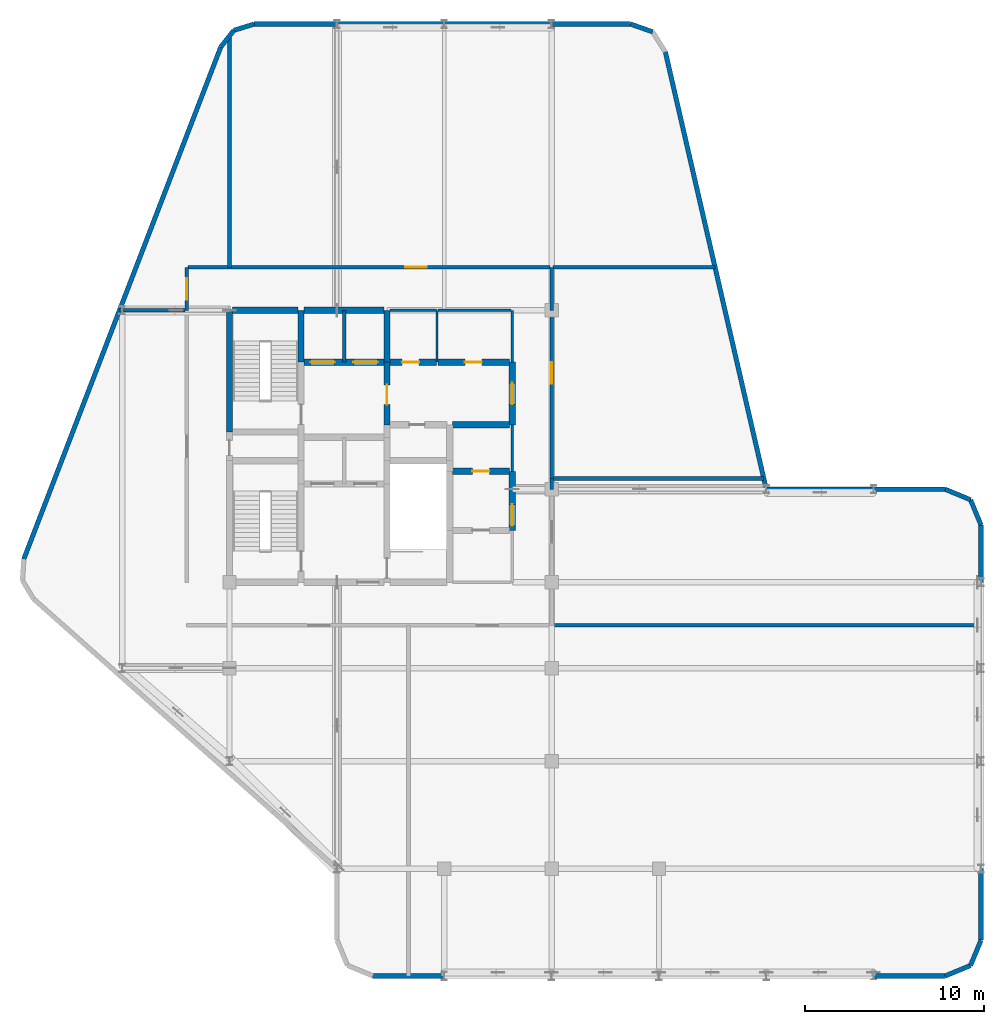
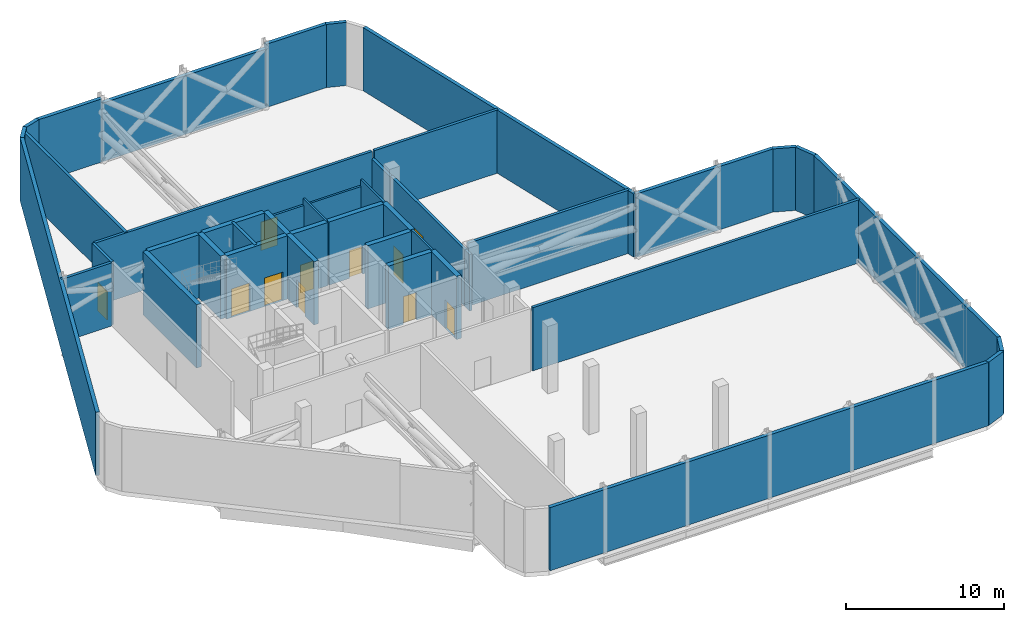
# One storey, part 10 of 12: 44 walls, 11 doors, 11 openings.
"""IFC4 building model written with IfcOpenShell, lengths in metres."""

from ifc_helpers import new_model, si_unit, direction, frame, frame_2d, origin, place, context, subcontext, project, spatial, rectangle, extrude, material, layer, layer_set, type_object, element, fill, save


model = new_model("IFC4")

# Units and contexts
model_context = context("Model", 3, precision=1e-05, world=origin(), true_north=direction((0.0, 1.0)))
body_context = subcontext(model_context, "Body", "Model", "MODEL_VIEW")
ifc_project = project(units=[si_unit("LENGTHUNIT", "METRE"), si_unit("AREAUNIT", "SQUARE_METRE"), si_unit("VOLUMEUNIT", "CUBIC_METRE"), si_unit("PLANEANGLEUNIT", "RADIAN"), si_unit("MASSUNIT", "GRAM", prefix="KILO")], contexts=[model_context])

# Site, building, storey
site_placement = place(None, origin())
site = spatial("IfcSite", under=ifc_project, at=site_placement, CompositionType="ELEMENT")
building_placement = place(site_placement, origin())
building = spatial("IfcBuilding", under=site, at=building_placement, Name="Keshet Zoharim Tower", CompositionType="ELEMENT")
storey_placement = place(building_placement, frame((0.0, 0.0, 237.60009765625)))
storey = spatial("IfcBuildingStorey", under=building, at=storey_placement, Name="L59", CompositionType="ELEMENT", Elevation=237.60009765625)

# Walls
ifc_material_1 = material(Name="Gypsum Plasterboard", Category="gypsum")
ifc_layer_1 = layer(ifc_material_1, 0.14990234375)
ifc_layer_set_1 = layer_set([ifc_layer_1], Name="Gypsum Plasterboard")
wall_type_1 = type_object("IfcWallType", Name="WL-CLIN-150", PredefinedType="STANDARD", material=ifc_layer_set_1)
wall_1_placement = place(storey_placement, frame((30.800048828125, 28.89990234375, 0.0), z_axis=(0.0, 0.0, 1.0), x_axis=(0.0, 1.0, 0.0)))
element("IfcWall", 1, at=wall_1_placement, inside=storey, type_object=wall_type_1, Name="L59 Interior Wall 027", PredefinedType="STANDARD", context=body_context, shape_type="SweptSolid", body=[
    extrude(rectangle(XDim=2.60009765625, YDim=0.14990234375, at=frame_2d((1.300048828125, 0.0))), origin(), (0.0, 0.0, 1.0), 4.8798828125),
])
wall_2_placement = place(storey_placement, frame((30.800048828125, 35.0, 0.0), z_axis=(0.0, 0.0, 1.0), x_axis=(0.0, 1.0, 0.0)))
element("IfcWall", 2, at=wall_2_placement, inside=storey, type_object=wall_type_1, Name="L59 Interior Wall 029", PredefinedType="STANDARD", context=body_context, shape_type="SweptSolid", body=[
    extrude(rectangle(XDim=2.89990234375, YDim=0.14990234375, at=frame_2d((1.449951171875, 0.0))), origin(), (0.0, 0.0, 1.0), 4.8798828125),
])
wall_3_placement = place(storey_placement, frame((23.9599609375, 37.89990234375, 0.0), z_axis=(0.0, 0.0, 1.0), x_axis=(1.0, 0.0, 0.0)))
element("IfcWall", 3, at=wall_3_placement, inside=storey, type_object=wall_type_1, Name="L59 Interior Wall 054", PredefinedType="STANDARD", context=body_context, shape_type="SweptSolid", body=[
    extrude(rectangle(XDim=2.594970703125, YDim=0.14990234375, at=frame_2d((1.29736328125, 0.0))), origin(), (0.0, 0.0, 1.0), 4.3798828125),
])
wall_4_placement = place(storey_placement, frame((26.64501953125, 37.89990234375, 0.0), z_axis=(0.0, 0.0, 1.0), x_axis=(1.0, 0.0, 0.0)))
element("IfcWall", 4, at=wall_4_placement, inside=storey, type_object=wall_type_1, Name="L59 Interior Wall 055", PredefinedType="STANDARD", context=body_context, shape_type="SweptSolid", body=[
    extrude(rectangle(XDim=4.094970703125, YDim=0.14990234375, at=frame_2d((2.04736328125, 0.0))), origin(), (0.0, 0.0, 1.0), 4.3798828125),
])
ifc_material_2 = material(Name="Concrete C60/75", Category="concrete")
ifc_layer_2 = layer(ifc_material_2, 0.35009765625)
ifc_layer_set_2 = layer_set([ifc_layer_2], Name="Concrete C60/75")
wall_type_2 = type_object("IfcWallType", Name="WL-CORE-350", PredefinedType="SHEAR", material=ifc_layer_set_2)
wall_5_placement = place(storey_placement, frame((15.0, 31.10009765625, 0.0), z_axis=(0.0, 0.0, 1.0), x_axis=(0.0, 1.0, 0.0)))
element("IfcWall", 5, at=wall_5_placement, inside=storey, type_object=wall_type_2, Name="L59 Core Shear Wall 005", PredefinedType="SHEAR", context=body_context, shape_type="SweptSolid", body=[
    extrude(rectangle(XDim=6.7998046875, YDim=0.35009765625, at=frame_2d((3.39990234375, 0.0))), origin(), (0.0, 0.0, 1.0), 4.8798828125),
])
wall_6_placement = place(storey_placement, frame((19.0, 35.0, 0.0), z_axis=(0.0, 0.0, 1.0), x_axis=(0.0, 1.0, 0.0)))
element("IfcWall", 6, at=wall_6_placement, inside=storey, type_object=wall_type_2, Name="L59 Core Shear Wall 010", PredefinedType="SHEAR", context=body_context, shape_type="SweptSolid", body=[
    extrude(rectangle(XDim=2.89990234375, YDim=0.35009765625, at=frame_2d((1.449951171875, 0.0))), origin(), (0.0, 0.0, 1.0), 4.8798828125),
])

# Wall, opening, door
wall_7_placement = place(storey_placement, frame((23.800048828125, 31.5, 0.0), z_axis=(0.0, 0.0, 1.0), x_axis=(0.0, 1.0, 0.0)))
wall_7 = element("IfcWall", 7, at=wall_7_placement, inside=storey, type_object=wall_type_2, Name="L59 Core Shear Wall 017", PredefinedType="SHEAR", context=body_context, shape_type="SweptSolid", body=[
    extrude(rectangle(XDim=3.5, YDim=0.35009765625, at=frame_2d((1.75, 0.0))), origin(), (0.0, 0.0, 1.0), 4.8798828125),
])
opening_1_placement = place(wall_7_placement, frame((1.126953125, 0.0, 0.0)))
opening_1 = element("IfcOpeningElement", 8, at=opening_1_placement, cuts=wall_7, Name="Opening D-F611", PredefinedType="OPENING", context=body_context, shape_type="SweptSolid", body=[
    extrude(rectangle(XDim=1.10009765625, YDim=2.14990234375, at=frame_2d((0.550048828125, 1.074951171875))), frame((0.0, 0.18505859375, 0.0), z_axis=(0.0, -1.0, 0.0), x_axis=(1.0, 0.0, 0.0)), (0.0, 0.0, 1.0), 0.3701171875),
])
ifc_material_3 = material(Name="Hardwood Timber", Category="wood")
door_type_1 = type_object("IfcDoorType", Name="DR-FD60-110", OperationType="NOTDEFINED", PredefinedType="DOOR", material=ifc_material_3)
door_1_placement = place(opening_1_placement, origin())
door_1 = element("IfcDoor", 9, at=door_1_placement, inside=storey, type_object=door_type_1, Name="L59 Firefighting Lobby Fire Door", OperationType="SINGLE_SWING_RIGHT", OverallHeight=2.14990234375, OverallWidth=1.10009765625, PredefinedType="DOOR", context=body_context, shape_type="SweptSolid", body=[
    extrude(rectangle(XDim=1.10009765625, YDim=2.14990234375, at=frame_2d((0.550048828125, 1.074951171875))), frame((0.0, 0.02490234375, 0.0), z_axis=(0.0, -1.0, 0.0), x_axis=(1.0, 0.0, 0.0)), (0.0, 0.0, 1.0), 0.050048828125),
])
fill(opening_1, door_1)

# Wall
wall_8_placement = place(storey_placement, frame((23.800048828125, 35.0, 0.0), z_axis=(0.0, 0.0, 1.0), x_axis=(0.0, 1.0, 0.0)))
element("IfcWall", 10, at=wall_8_placement, inside=storey, type_object=wall_type_2, Name="L59 Core Shear Wall 018", PredefinedType="SHEAR", context=body_context, shape_type="SweptSolid", body=[
    extrude(rectangle(XDim=2.89990234375, YDim=0.35009765625, at=frame_2d((1.449951171875, 0.0))), origin(), (0.0, 0.0, 1.0), 4.8798828125),
])

# Wall, opening, door
wall_9_placement = place(storey_placement, frame((30.800048828125, 25.60009765625, 0.0), z_axis=(0.0, 0.0, 1.0), x_axis=(0.0, 1.0, 0.0)))
wall_9 = element("IfcWall", 11, at=wall_9_placement, inside=storey, type_object=wall_type_2, Name="L59 Core Shear Wall 026", PredefinedType="SHEAR", context=body_context, shape_type="SweptSolid", body=[
    extrude(rectangle(XDim=3.2998046875, YDim=0.35009765625, at=frame_2d((1.64990234375, 0.0))), origin(), (0.0, 0.0, 1.0), 4.8798828125),
])
opening_2_placement = place(wall_9_placement, frame((0.2529296875, 0.0, 0.0)))
opening_2 = element("IfcOpeningElement", 12, at=opening_2_placement, cuts=wall_9, Name="Opening D-F612", PredefinedType="OPENING", context=body_context, shape_type="SweptSolid", body=[
    extrude(rectangle(XDim=1.199951171875, YDim=2.199951171875, at=frame_2d((0.60009765625, 1.10009765625))), frame((0.0, 0.18505859375, 0.0), z_axis=(0.0, -1.0, 0.0), x_axis=(1.0, 0.0, 0.0)), (0.0, 0.0, 1.0), 0.3701171875),
])
door_type_2 = type_object("IfcDoorType", Name="DR-FD60-120", OperationType="NOTDEFINED", PredefinedType="DOOR", material=ifc_material_3)
door_2_placement = place(opening_2_placement, origin())
door_2 = element("IfcDoor", 13, at=door_2_placement, inside=storey, type_object=door_type_2, Name="L59 East Lift Lobby Fire Door", OperationType="SINGLE_SWING_LEFT", OverallHeight=2.199951171875, OverallWidth=1.199951171875, PredefinedType="DOOR", context=body_context, shape_type="SweptSolid", body=[
    extrude(rectangle(XDim=1.199951171875, YDim=2.199951171875, at=frame_2d((0.60009765625, 1.10009765625))), frame((0.0, 0.02490234375, 0.0), z_axis=(0.0, -1.0, 0.0), x_axis=(1.0, 0.0, 0.0)), (0.0, 0.0, 1.0), 0.050048828125),
])
fill(opening_2, door_2)

wall_10_placement = place(storey_placement, frame((30.800048828125, 31.5, 0.0), z_axis=(0.0, 0.0, 1.0), x_axis=(0.0, 1.0, 0.0)))
wall_10 = element("IfcWall", 14, at=wall_10_placement, inside=storey, type_object=wall_type_2, Name="L59 Core Shear Wall 028", PredefinedType="SHEAR", context=body_context, shape_type="SweptSolid", body=[
    extrude(rectangle(XDim=3.5, YDim=0.35009765625, at=frame_2d((1.75, 0.0))), origin(), (0.0, 0.0, 1.0), 4.8798828125),
])
opening_3_placement = place(wall_10_placement, frame((1.14990234375, 0.0, 0.0)))
opening_3 = element("IfcOpeningElement", 15, at=opening_3_placement, cuts=wall_10, Name="Opening D-F612", PredefinedType="OPENING", context=body_context, shape_type="SweptSolid", body=[
    extrude(rectangle(XDim=1.199951171875, YDim=2.199951171875, at=frame_2d((0.60009765625, 1.10009765625))), frame((0.0, 0.18505859375, 0.0), z_axis=(0.0, -1.0, 0.0), x_axis=(1.0, 0.0, 0.0)), (0.0, 0.0, 1.0), 0.3701171875),
])
door_3_placement = place(opening_3_placement, origin())
door_3 = element("IfcDoor", 16, at=door_3_placement, inside=storey, type_object=door_type_2, Name="L59 North Lift Lobby East Fire Door", OperationType="SINGLE_SWING_RIGHT", OverallHeight=2.199951171875, OverallWidth=1.199951171875, PredefinedType="DOOR", context=body_context, shape_type="SweptSolid", body=[
    extrude(rectangle(XDim=1.199951171875, YDim=2.199951171875, at=frame_2d((0.60009765625, 1.10009765625))), frame((0.0, 0.02490234375, 0.0), z_axis=(0.0, -1.0, 0.0), x_axis=(1.0, 0.0, 0.0)), (0.0, 0.0, 1.0), 0.050048828125),
])
fill(opening_3, door_3)

wall_11_placement = place(storey_placement, frame((27.4599609375, 28.89990234375, 0.0), z_axis=(0.0, 0.0, 1.0), x_axis=(1.0, 0.0, 0.0)))
wall_11 = element("IfcWall", 17, at=wall_11_placement, inside=storey, type_object=wall_type_2, Name="L59 Core Shear Wall 041", PredefinedType="SHEAR", context=body_context, shape_type="SweptSolid", body=[
    extrude(rectangle(XDim=3.179931640625, YDim=0.35009765625, at=frame_2d((1.58984375, 0.0))), origin(), (0.0, 0.0, 1.0), 4.8798828125),
])
opening_4_placement = place(wall_11_placement, frame((1.114990234375, 0.0, 0.0)))
opening_4 = element("IfcOpeningElement", 18, at=opening_4_placement, cuts=wall_11, Name="Opening D-F695", PredefinedType="OPENING", context=body_context, shape_type="SweptSolid", body=[
    extrude(rectangle(XDim=0.949951171875, YDim=2.14990234375, at=frame_2d((0.47509765625, 1.074951171875))), frame((0.0, 0.18505859375, 0.0), z_axis=(0.0, -1.0, 0.0), x_axis=(1.0, 0.0, 0.0)), (0.0, 0.0, 1.0), 0.3701171875),
])
door_type_3 = type_object("IfcDoorType", Name="DR-FD60-095", OperationType="NOTDEFINED", PredefinedType="DOOR", material=ifc_material_3)
door_4_placement = place(opening_4_placement, frame((0.949951171875, 0.0, 0.0), z_axis=(0.0, 0.0, 1.0), x_axis=(-1.0, 0.0, 0.0)))
door_4 = element("IfcDoor", 19, at=door_4_placement, inside=storey, type_object=door_type_3, Name="L59 Parcel Store Door", OperationType="SINGLE_SWING_LEFT", OverallHeight=2.14990234375, OverallWidth=0.949951171875, PredefinedType="DOOR", context=body_context, shape_type="SweptSolid", body=[
    extrude(rectangle(XDim=0.949951171875, YDim=2.14990234375, at=frame_2d((0.47509765625, 1.074951171875))), frame((0.0, 0.02490234375, 0.0), z_axis=(0.0, -1.0, 0.0), x_axis=(1.0, 0.0, 0.0)), (0.0, 0.0, 1.0), 0.050048828125),
])
fill(opening_4, door_4)

# Wall
wall_12_placement = place(storey_placement, frame((27.4599609375, 31.5, 0.0), z_axis=(0.0, 0.0, 1.0), x_axis=(1.0, 0.0, 0.0)))
element("IfcWall", 20, at=wall_12_placement, inside=storey, type_object=wall_type_2, Name="L59 Core Shear Wall 047", PredefinedType="SHEAR", context=body_context, shape_type="SweptSolid", body=[
    extrude(rectangle(XDim=3.179931640625, YDim=0.35009765625, at=frame_2d((1.58984375, 0.0))), origin(), (0.0, 0.0, 1.0), 4.8798828125),
])

# Wall, openings, doors
wall_13_placement = place(storey_placement, frame((19.159912109375, 35.0, 0.0), z_axis=(0.0, 0.0, 1.0), x_axis=(1.0, 0.0, 0.0)))
wall_13 = element("IfcWall", 21, at=wall_13_placement, inside=storey, type_object=wall_type_2, Name="L59 Core Shear Wall 048", PredefinedType="SHEAR", context=body_context, shape_type="SweptSolid", body=[
    extrude(rectangle(XDim=4.47998046875, YDim=0.35009765625, at=frame_2d((2.239990234375, 0.0))), origin(), (0.0, 0.0, 1.0), 4.8798828125),
])
opening_5_placement = place(wall_13_placement, frame((0.364990234375, 0.0, 0.0)))
opening_5 = element("IfcOpeningElement", 22, at=opening_5_placement, cuts=wall_13, Name="Opening LD-02", PredefinedType="OPENING", context=body_context, shape_type="SweptSolid", body=[
    extrude(rectangle(XDim=1.35009765625, YDim=2.199951171875, at=frame_2d((0.675048828125, 1.10009765625))), frame((0.0, 0.18505859375, 0.0), z_axis=(0.0, -1.0, 0.0), x_axis=(1.0, 0.0, 0.0)), (0.0, 0.0, 1.0), 0.3701171875),
])
opening_6_placement = place(wall_13_placement, frame((2.764892578125, 0.0, 0.0)))
opening_6 = element("IfcOpeningElement", 23, at=opening_6_placement, cuts=wall_13, Name="Opening LD-02", PredefinedType="OPENING", context=body_context, shape_type="SweptSolid", body=[
    extrude(rectangle(XDim=1.35009765625, YDim=2.199951171875, at=frame_2d((0.675048828125, 1.10009765625))), frame((0.0, 0.18505859375, 0.0), z_axis=(0.0, -1.0, 0.0), x_axis=(1.0, 0.0, 0.0)), (0.0, 0.0, 1.0), 0.3701171875),
])
ifc_material_4 = material(Name="Steel S355", Category="steel")
door_type_4 = type_object("IfcDoorType", Name="DR-LD02-135", OperationType="DOUBLE_DOOR_SLIDING", PredefinedType="DOOR", material=ifc_material_4)
door_5_placement = place(opening_5_placement, origin())
door_5 = element("IfcDoor", 24, at=door_5_placement, inside=storey, type_object=door_type_4, Name="L59 Firefighting Lift Landing Door FF-01", OperationType="DOUBLE_DOOR_SLIDING", OverallHeight=2.199951171875, OverallWidth=1.35009765625, PredefinedType="DOOR", context=body_context, shape_type="SweptSolid", body=[
    extrude(rectangle(XDim=1.35009765625, YDim=2.199951171875, at=frame_2d((0.675048828125, 1.10009765625))), frame((0.0, 0.02490234375, 0.0), z_axis=(0.0, -1.0, 0.0), x_axis=(1.0, 0.0, 0.0)), (0.0, 0.0, 1.0), 0.050048828125),
])
fill(opening_5, door_5)
door_6_placement = place(opening_6_placement, origin())
door_6 = element("IfcDoor", 25, at=door_6_placement, inside=storey, type_object=door_type_4, Name="L59 Firefighting Lift Landing Door FF-02", OperationType="DOUBLE_DOOR_SLIDING", OverallHeight=2.199951171875, OverallWidth=1.35009765625, PredefinedType="DOOR", context=body_context, shape_type="SweptSolid", body=[
    extrude(rectangle(XDim=1.35009765625, YDim=2.199951171875, at=frame_2d((0.675048828125, 1.10009765625))), frame((0.0, 0.02490234375, 0.0), z_axis=(0.0, -1.0, 0.0), x_axis=(1.0, 0.0, 0.0)), (0.0, 0.0, 1.0), 0.050048828125),
])
fill(opening_6, door_6)

# Wall, opening, door
wall_14_placement = place(storey_placement, frame((23.9599609375, 35.0, 0.0), z_axis=(0.0, 0.0, 1.0), x_axis=(1.0, 0.0, 0.0)))
wall_14 = element("IfcWall", 26, at=wall_14_placement, inside=storey, type_object=wall_type_2, Name="L59 Core Shear Wall 049", PredefinedType="SHEAR", context=body_context, shape_type="SweptSolid", body=[
    extrude(rectangle(XDim=2.594970703125, YDim=0.35009765625, at=frame_2d((1.29736328125, 0.0))), origin(), (0.0, 0.0, 1.0), 4.8798828125),
])
opening_7_placement = place(wall_14_placement, frame((0.69091796875, 0.0, 0.0)))
opening_7 = element("IfcOpeningElement", 27, at=opening_7_placement, cuts=wall_14, Name="Opening D-F695", PredefinedType="OPENING", context=body_context, shape_type="SweptSolid", body=[
    extrude(rectangle(XDim=0.949951171875, YDim=2.14990234375, at=frame_2d((0.47509765625, 1.074951171875))), frame((0.0, 0.18505859375, 0.0), z_axis=(0.0, -1.0, 0.0), x_axis=(1.0, 0.0, 0.0)), (0.0, 0.0, 1.0), 0.3701171875),
])
door_7_placement = place(opening_7_placement, frame((0.949951171875, 0.0, 0.0), z_axis=(0.0, 0.0, 1.0), x_axis=(-1.0, 0.0, 0.0)))
door_7 = element("IfcDoor", 28, at=door_7_placement, inside=storey, type_object=door_type_3, Name="L59 Laundry Room Door", OperationType="SINGLE_SWING_LEFT", OverallHeight=2.14990234375, OverallWidth=0.949951171875, PredefinedType="DOOR", context=body_context, shape_type="SweptSolid", body=[
    extrude(rectangle(XDim=0.949951171875, YDim=2.14990234375, at=frame_2d((0.47509765625, 1.074951171875))), frame((0.0, 0.02490234375, 0.0), z_axis=(0.0, -1.0, 0.0), x_axis=(1.0, 0.0, 0.0)), (0.0, 0.0, 1.0), 0.050048828125),
])
fill(opening_7, door_7)

wall_15_placement = place(storey_placement, frame((26.64501953125, 35.0, 0.0), z_axis=(0.0, 0.0, 1.0), x_axis=(1.0, 0.0, 0.0)))
wall_15 = element("IfcWall", 29, at=wall_15_placement, inside=storey, type_object=wall_type_2, Name="L59 Core Shear Wall 050", PredefinedType="SHEAR", context=body_context, shape_type="SweptSolid", body=[
    extrude(rectangle(XDim=3.994873046875, YDim=0.35009765625, at=frame_2d((1.99755859375, 0.0))), origin(), (0.0, 0.0, 1.0), 4.8798828125),
])
opening_8_placement = place(wall_15_placement, frame((1.508056640625, 0.0, 0.0)))
opening_8 = element("IfcOpeningElement", 30, at=opening_8_placement, cuts=wall_15, Name="Opening D-F695", PredefinedType="OPENING", context=body_context, shape_type="SweptSolid", body=[
    extrude(rectangle(XDim=0.949951171875, YDim=2.14990234375, at=frame_2d((0.47509765625, 1.074951171875))), frame((0.0, 0.18505859375, 0.0), z_axis=(0.0, -1.0, 0.0), x_axis=(1.0, 0.0, 0.0)), (0.0, 0.0, 1.0), 0.3701171875),
])
door_8_placement = place(opening_8_placement, frame((0.949951171875, 0.0, 0.0), z_axis=(0.0, 0.0, 1.0), x_axis=(-1.0, 0.0, 0.0)))
door_8 = element("IfcDoor", 31, at=door_8_placement, inside=storey, type_object=door_type_3, Name="L59 Quiet Study Room Door", OperationType="SINGLE_SWING_RIGHT", OverallHeight=2.14990234375, OverallWidth=0.949951171875, PredefinedType="DOOR", context=body_context, shape_type="SweptSolid", body=[
    extrude(rectangle(XDim=0.949951171875, YDim=2.14990234375, at=frame_2d((0.47509765625, 1.074951171875))), frame((0.0, 0.02490234375, 0.0), z_axis=(0.0, -1.0, 0.0), x_axis=(1.0, 0.0, 0.0)), (0.0, 0.0, 1.0), 0.050048828125),
])
fill(opening_8, door_8)

# Walls
wall_16_placement = place(storey_placement, frame((15.159912109375, 37.89990234375, 0.0), z_axis=(0.0, 0.0, 1.0), x_axis=(1.0, 0.0, 0.0)))
element("IfcWall", 32, at=wall_16_placement, inside=storey, type_object=wall_type_2, Name="L59 Core Shear Wall 052", PredefinedType="SHEAR", context=body_context, shape_type="SweptSolid", body=[
    extrude(rectangle(XDim=3.68017578125, YDim=0.35009765625, at=frame_2d((1.840087890625, 0.0))), origin(), (0.0, 0.0, 1.0), 4.8798828125),
])
wall_17_placement = place(storey_placement, frame((19.159912109375, 37.89990234375, 0.0), z_axis=(0.0, 0.0, 1.0), x_axis=(1.0, 0.0, 0.0)))
element("IfcWall", 33, at=wall_17_placement, inside=storey, type_object=wall_type_2, Name="L59 Core Shear Wall 053", PredefinedType="SHEAR", context=body_context, shape_type="SweptSolid", body=[
    extrude(rectangle(XDim=4.47998046875, YDim=0.35009765625, at=frame_2d((2.239990234375, 0.0))), origin(), (0.0, 0.0, 1.0), 4.8798828125),
])
ifc_material_5 = material(Name="Concrete C50/60 precast", Category="concrete")
ifc_layer_3 = layer(ifc_material_5, 0.260009765625)
ifc_layer_set_3 = layer_set([ifc_layer_3], Name="Concrete C50/60 precast")
wall_type_3 = type_object("IfcWallType", Name="WL-EXT-260", PredefinedType="STANDARD", material=ifc_layer_set_3)
for number, where, z_axis, x_axis, name in (
    (34, (55.0, 27.89990234375, 0.0), (0.0, 0.0, 1.0), (0.92383017907, -0.382802560388, 0.0), "L59 Exterior Facade Wall 01"),
    (35, (56.4140625, 27.31396484375, 0.0), (0.0, 0.0, 1.0), (0.382802560388, -0.92383017907, 0.0), "L59 Exterior Facade Wall 02"),
):
    element("IfcWall", number, at=place(storey_placement, frame(where, z_axis=z_axis, x_axis=x_axis)), inside=storey, type_object=wall_type_3, Name=name, PredefinedType="STANDARD", context=body_context, shape_type="SweptSolid", body=[
        extrude(rectangle(XDim=1.53076171875, YDim=0.260009765625, at=frame_2d((0.765380859375, 0.0))), origin(), (0.0, 0.0, 1.0), 4.8798828125),
    ])
wall_18_placement = place(storey_placement, frame((57.0, 25.89990234375, 0.0), z_axis=(0.0, 0.0, 1.0), x_axis=(0.0, -1.0, 0.0)))
element("IfcWall", 36, at=wall_18_placement, inside=storey, type_object=wall_type_3, Name="L59 Exterior Facade Wall 03", PredefinedType="STANDARD", context=body_context, shape_type="SweptSolid", body=[
    extrude(rectangle(XDim=23.199951171875, YDim=0.260009765625, at=frame_2d((11.60009765625, 0.0))), origin(), (0.0, 0.0, 1.0), 4.8798828125),
])
for number, where, z_axis, x_axis, name in (
    (37, (57.0, 2.699951171875, 0.0), (0.0, 0.0, 1.0), (-0.382802560388, -0.92383017907, 0.0), "L59 Exterior Facade Wall 04"),
    (38, (56.4140625, 1.285888671875, 0.0), (0.0, 0.0, 1.0), (-0.92383017907, -0.382802560388, 0.0), "L59 Exterior Facade Wall 05"),
):
    element("IfcWall", number, at=place(storey_placement, frame(where, z_axis=z_axis, x_axis=x_axis)), inside=storey, type_object=wall_type_3, Name=name, PredefinedType="STANDARD", context=body_context, shape_type="SweptSolid", body=[
        extrude(rectangle(XDim=1.53076171875, YDim=0.260009765625, at=frame_2d((0.765380859375, 0.0))), origin(), (0.0, 0.0, 1.0), 4.8798828125),
    ])
wall_19_placement = place(storey_placement, frame((55.0, 0.699951171875, 0.0), z_axis=(0.0, 0.0, 1.0), x_axis=(-1.0, 0.0, 0.0)))
element("IfcWall", 39, at=wall_19_placement, inside=storey, type_object=wall_type_3, Name="L59 Exterior Facade Wall 06", PredefinedType="STANDARD", context=body_context, shape_type="SweptSolid", body=[
    extrude(rectangle(XDim=32.0, YDim=0.260009765625, at=frame_2d((16.0, 0.0))), origin(), (0.0, 0.0, 1.0), 4.8798828125),
])
wall_20_placement = place(storey_placement, frame((3.4970703125, 23.992919921875, 0.0), z_axis=(0.0, 0.0, 1.0), x_axis=(0.358990281293, 0.93334129767, 0.0)))
element("IfcWall", 40, at=wall_20_placement, inside=storey, type_object=wall_type_3, Name="L59 Exterior Facade Wall 13", PredefinedType="STANDARD", context=body_context, shape_type="SweptSolid", body=[
    extrude(rectangle(XDim=30.66943359375, YDim=0.260009765625, at=frame_2d((15.334716796875, 0.0))), origin(), (0.0, 0.0, 1.0), 4.8798828125),
])
wall_21_placement = place(storey_placement, frame((14.507080078125, 52.617919921875, 0.0), z_axis=(0.0, 0.0, 1.0), x_axis=(0.619003121736, 0.78538852505, 0.0)))
element("IfcWall", 41, at=wall_21_placement, inside=storey, type_object=wall_type_3, Name="L59 Exterior Facade Wall 14", PredefinedType="STANDARD", context=body_context, shape_type="SweptSolid", body=[
    extrude(rectangle(XDim=1.185546875, YDim=0.260009765625, at=frame_2d((0.5927734375, 0.0))), origin(), (0.0, 0.0, 1.0), 4.8798828125),
])
wall_22_placement = place(storey_placement, frame((15.240966796875, 53.549072265625, 0.0), z_axis=(0.0, 0.0, 1.0), x_axis=(0.955256816454, 0.295777643879, 0.0)))
element("IfcWall", 42, at=wall_22_placement, inside=storey, type_object=wall_type_3, Name="L59 Exterior Facade Wall 15", PredefinedType="STANDARD", context=body_context, shape_type="SweptSolid", body=[
    extrude(rectangle(XDim=1.18603515625, YDim=0.260009765625, at=frame_2d((0.593017578125, 0.0))), origin(), (0.0, 0.0, 1.0), 4.8798828125),
])
wall_23_placement = place(storey_placement, frame((16.3740234375, 53.89990234375, 0.0), z_axis=(0.0, 0.0, 1.0), x_axis=(1.0, 0.0, 0.0)))
element("IfcWall", 43, at=wall_23_placement, inside=storey, type_object=wall_type_3, Name="L59 Exterior Facade Wall 16", PredefinedType="STANDARD", context=body_context, shape_type="SweptSolid", body=[
    extrude(rectangle(XDim=4.6259765625, YDim=0.260009765625, at=frame_2d((2.31298828125, 0.0))), origin(), (0.0, 0.0, 1.0), 4.8798828125),
])
wall_24_placement = place(storey_placement, frame((37.408935546875, 53.89990234375, 0.0), z_axis=(0.0, 0.0, 1.0), x_axis=(0.944089004862, -0.329690689737, 0.0)))
element("IfcWall", 44, at=wall_24_placement, inside=storey, type_object=wall_type_3, Name="L59 Exterior Facade Wall 17", PredefinedType="STANDARD", context=body_context, shape_type="SweptSolid", body=[
    extrude(rectangle(XDim=1.31884765625, YDim=0.260009765625, at=frame_2d((0.659423828125, 0.0))), origin(), (0.0, 0.0, 1.0), 4.8798828125),
])
wall_25_placement = place(storey_placement, frame((39.35791015625, 52.35009765625, 0.0), z_axis=(0.0, 0.0, 1.0), x_axis=(0.224849558511, -0.974393491377, 0.0)))
element("IfcWall", 45, at=wall_25_placement, inside=storey, type_object=wall_type_3, Name="L59 Exterior Facade Wall 19", PredefinedType="STANDARD", context=body_context, shape_type="SweptSolid", body=[
    extrude(rectangle(XDim=25.0927734375, YDim=0.260009765625, at=frame_2d((12.54638671875, 0.0))), origin(), (0.0, 0.0, 1.0), 4.8798828125),
])
wall_26_placement = place(storey_placement, frame((45.0, 27.89990234375, 0.0), z_axis=(0.0, 0.0, 1.0), x_axis=(1.0, 0.0, 0.0)))
element("IfcWall", 46, at=wall_26_placement, inside=storey, type_object=wall_type_3, Name="L59 Exterior Facade Wall 20", PredefinedType="STANDARD", context=body_context, shape_type="SweptSolid", body=[
    extrude(rectangle(XDim=10.0, YDim=0.260009765625, at=frame_2d((5.0, 0.0))), origin(), (0.0, 0.0, 1.0), 4.8798828125),
])
wall_27_placement = place(storey_placement, frame((21.0, 53.89990234375, 0.0), z_axis=(0.0, 0.0, 1.0), x_axis=(1.0, 0.0, 0.0)))
element("IfcWall", 47, at=wall_27_placement, inside=storey, type_object=wall_type_3, Name="L59 Exterior Facade Wall 16 Part 2", PredefinedType="STANDARD", context=body_context, shape_type="SweptSolid", body=[
    extrude(rectangle(XDim=12.0, YDim=0.260009765625, at=frame_2d((6.0, 0.0))), origin(), (0.0, 0.0, 1.0), 4.52978515625),
])
wall_28_placement = place(storey_placement, frame((33.0, 53.89990234375, 0.0), z_axis=(0.0, 0.0, 1.0), x_axis=(1.0, 0.0, 0.0)))
element("IfcWall", 48, at=wall_28_placement, inside=storey, type_object=wall_type_3, Name="L59 Exterior Facade Wall 16 Part 3", PredefinedType="STANDARD", context=body_context, shape_type="SweptSolid", body=[
    extrude(rectangle(XDim=4.408935546875, YDim=0.260009765625, at=frame_2d((2.20458984375, 0.0))), origin(), (0.0, 0.0, 1.0), 4.8798828125),
])

# Wall, opening, door
ifc_material_6 = material(Name="Concrete C50/60", Category="concrete")
ifc_layer_4 = layer(ifc_material_6, 0.199951171875)
ifc_layer_set_4 = layer_set([ifc_layer_4], Name="Concrete C50/60")
wall_type_4 = type_object("IfcWallType", Name="WL-FIRE-200", PredefinedType="STANDARD", material=ifc_layer_set_4)
wall_29_placement = place(storey_placement, frame((12.60009765625, 37.89990234375, 0.0), z_axis=(0.0, 0.0, 1.0), x_axis=(0.0, 1.0, 0.0)))
wall_29 = element("IfcWall", 49, at=wall_29_placement, inside=storey, type_object=wall_type_4, Name="L59 Interior Wall 002", PredefinedType="STANDARD", context=body_context, shape_type="SweptSolid", body=[
    extrude(rectangle(XDim=2.400146484375, YDim=0.199951171875, at=frame_2d((1.2001953125, 0.0))), origin(), (0.0, 0.0, 1.0), 4.8798828125),
])
opening_9_placement = place(wall_29_placement, frame((0.60009765625, 0.0, 0.0)))
opening_9 = element("IfcOpeningElement", 50, at=opening_9_placement, cuts=wall_29, Name="Opening D-F612", PredefinedType="OPENING", context=body_context, shape_type="SweptSolid", body=[
    extrude(rectangle(XDim=1.199951171875, YDim=2.199951171875, at=frame_2d((0.60009765625, 1.10009765625))), frame((0.0, 0.10986328125, 0.0), z_axis=(0.0, -1.0, 0.0), x_axis=(1.0, 0.0, 0.0)), (0.0, 0.0, 1.0), 0.219970703125),
])
door_9_placement = place(opening_9_placement, origin())
door_9 = element("IfcDoor", 51, at=door_9_placement, inside=storey, type_object=door_type_2, Name="L59 Telecom and BMS Server Room Fire Door", OperationType="SINGLE_SWING_LEFT", OverallHeight=2.199951171875, OverallWidth=1.199951171875, PredefinedType="DOOR", context=body_context, shape_type="SweptSolid", body=[
    extrude(rectangle(XDim=1.199951171875, YDim=2.199951171875, at=frame_2d((0.60009765625, 1.10009765625))), frame((0.0, 0.02490234375, 0.0), z_axis=(0.0, -1.0, 0.0), x_axis=(1.0, 0.0, 0.0)), (0.0, 0.0, 1.0), 0.050048828125),
])
fill(opening_9, door_9)

# Walls
wall_30_placement = place(storey_placement, frame((15.0, 40.300048828125, 0.0), z_axis=(0.0, 0.0, 1.0), x_axis=(0.0, 1.0, 0.0)))
element("IfcWall", 52, at=wall_30_placement, inside=storey, type_object=wall_type_4, Name="L59 Interior Wall 006", PredefinedType="STANDARD", context=body_context, shape_type="SweptSolid", body=[
    extrude(rectangle(XDim=12.932861328125, YDim=0.199951171875, at=frame_2d((6.46630859375, 0.0))), origin(), (0.0, 0.0, 1.0), 4.8798828125),
])
wall_31_placement = place(storey_placement, frame((21.39990234375, 35.0, 0.0), z_axis=(0.0, 0.0, 1.0), x_axis=(0.0, 1.0, 0.0)))
element("IfcWall", 53, at=wall_31_placement, inside=storey, type_object=wall_type_4, Name="L59 Interior Wall 012", PredefinedType="STANDARD", context=body_context, shape_type="SweptSolid", body=[
    extrude(rectangle(XDim=2.89990234375, YDim=0.199951171875, at=frame_2d((1.449951171875, 0.0))), origin(), (0.0, 0.0, 1.0), 4.8798828125),
])

# Wall, opening, door
wall_32_placement = place(storey_placement, frame((33.0, 28.5, 0.0), z_axis=(0.0, 0.0, 1.0), x_axis=(0.0, 1.0, 0.0)))
wall_32 = element("IfcWall", 54, at=wall_32_placement, inside=storey, type_object=wall_type_4, Name="L59 Interior Wall 031", PredefinedType="STANDARD", context=body_context, shape_type="SweptSolid", body=[
    extrude(rectangle(XDim=9.39990234375, YDim=0.199951171875, at=frame_2d((4.699951171875, 0.0))), origin(), (0.0, 0.0, 1.0), 4.3798828125),
])
opening_10_placement = place(wall_32_placement, frame((5.300048828125, 0.0, 0.0)))
opening_10 = element("IfcOpeningElement", 55, at=opening_10_placement, cuts=wall_32, Name="Opening D-F612", PredefinedType="OPENING", context=body_context, shape_type="SweptSolid", body=[
    extrude(rectangle(XDim=1.199951171875, YDim=2.199951171875, at=frame_2d((0.60009765625, 1.10009765625))), frame((0.0, 0.10986328125, 0.0), z_axis=(0.0, -1.0, 0.0), x_axis=(1.0, 0.0, 0.0)), (0.0, 0.0, 1.0), 0.219970703125),
])
door_10_placement = place(opening_10_placement, origin())
door_10 = element("IfcDoor", 56, at=door_10_placement, inside=storey, type_object=door_type_2, Name="L59 Refuge Area East Fire Door", OperationType="SINGLE_SWING_RIGHT", OverallHeight=2.199951171875, OverallWidth=1.199951171875, PredefinedType="DOOR", context=body_context, shape_type="SweptSolid", body=[
    extrude(rectangle(XDim=1.199951171875, YDim=2.199951171875, at=frame_2d((0.60009765625, 1.10009765625))), frame((0.0, 0.02490234375, 0.0), z_axis=(0.0, -1.0, 0.0), x_axis=(1.0, 0.0, 0.0)), (0.0, 0.0, 1.0), 0.050048828125),
])
fill(opening_10, door_10)

# Walls
wall_33_placement = place(storey_placement, frame((33.0849609375, 20.300048828125, 0.0), z_axis=(0.0, 0.0, 1.0), x_axis=(1.0, 0.0, 0.0)))
element("IfcWall", 57, at=wall_33_placement, inside=storey, type_object=wall_type_4, Name="L59 Interior Wall 033", PredefinedType="STANDARD", context=body_context, shape_type="SweptSolid", body=[
    extrude(rectangle(XDim=23.905029296875, YDim=0.199951171875, at=frame_2d((11.95263671875, 0.0))), origin(), (0.0, 0.0, 1.0), 4.8798828125),
])
wall_34_placement = place(storey_placement, frame((33.0849609375, 28.5, 0.0), z_axis=(0.0, 0.0, 1.0), x_axis=(1.0, 0.0, 0.0)))
element("IfcWall", 58, at=wall_34_placement, inside=storey, type_object=wall_type_4, Name="L59 Interior Wall 040", PredefinedType="STANDARD", context=body_context, shape_type="SweptSolid", body=[
    extrude(rectangle(XDim=11.76708984375, YDim=0.199951171875, at=frame_2d((5.883544921875, 0.0))), origin(), (0.0, 0.0, 1.0), 4.8798828125),
])
wall_35_placement = place(storey_placement, frame((8.85595703125, 37.89990234375, 0.0), z_axis=(0.0, 0.0, 1.0), x_axis=(1.0, 0.0, 0.0)))
element("IfcWall", 59, at=wall_35_placement, inside=storey, type_object=wall_type_4, Name="L59 Interior Wall 051", PredefinedType="STANDARD", context=body_context, shape_type="SweptSolid", body=[
    extrude(rectangle(XDim=3.658935546875, YDim=0.199951171875, at=frame_2d((1.82958984375, 0.0))), origin(), (0.0, 0.0, 1.0), 4.8798828125),
])

# Wall, opening, door
wall_36_placement = place(storey_placement, frame((12.68505859375, 40.300048828125, 0.0), z_axis=(0.0, 0.0, 1.0), x_axis=(1.0, 0.0, 0.0)))
wall_36 = element("IfcWall", 60, at=wall_36_placement, inside=storey, type_object=wall_type_4, Name="L59 Interior Wall 056", PredefinedType="STANDARD", context=body_context, shape_type="SweptSolid", body=[
    extrude(rectangle(XDim=20.22998046875, YDim=0.199951171875, at=frame_2d((10.114990234375, 0.0))), origin(), (0.0, 0.0, 1.0), 4.8798828125),
])
opening_11_placement = place(wall_36_placement, frame((12.139892578125, 0.0, 0.0)))
opening_11 = element("IfcOpeningElement", 61, at=opening_11_placement, cuts=wall_36, Name="Opening D-F612", PredefinedType="OPENING", context=body_context, shape_type="SweptSolid", body=[
    extrude(rectangle(XDim=1.199951171875, YDim=2.199951171875, at=frame_2d((0.60009765625, 1.10009765625))), frame((0.0, 0.10986328125, 0.0), z_axis=(0.0, -1.0, 0.0), x_axis=(1.0, 0.0, 0.0)), (0.0, 0.0, 1.0), 0.219970703125),
])
door_11_placement = place(opening_11_placement, origin())
door_11 = element("IfcDoor", 62, at=door_11_placement, inside=storey, type_object=door_type_2, Name="L59 Mechanical AHU Plant Room Fire Door", OperationType="SINGLE_SWING_LEFT", OverallHeight=2.199951171875, OverallWidth=1.199951171875, PredefinedType="DOOR", context=body_context, shape_type="SweptSolid", body=[
    extrude(rectangle(XDim=1.199951171875, YDim=2.199951171875, at=frame_2d((0.60009765625, 1.10009765625))), frame((0.0, 0.02490234375, 0.0), z_axis=(0.0, -1.0, 0.0), x_axis=(1.0, 0.0, 0.0)), (0.0, 0.0, 1.0), 0.050048828125),
])
fill(opening_11, door_11)

# Walls
wall_37_placement = place(storey_placement, frame((33.0849609375, 40.300048828125, 0.0), z_axis=(0.0, 0.0, 1.0), x_axis=(1.0, 0.0, 0.0)))
element("IfcWall", 63, at=wall_37_placement, inside=storey, type_object=wall_type_4, Name="L59 Interior Wall 057", PredefinedType="STANDARD", context=body_context, shape_type="SweptSolid", body=[
    extrude(rectangle(XDim=9.0439453125, YDim=0.199951171875, at=frame_2d((4.52197265625, 0.0))), origin(), (0.0, 0.0, 1.0), 4.8798828125),
])
wall_38_placement = place(storey_placement, frame((33.0, 27.89990234375, 0.0), z_axis=(0.0, 0.0, 1.0), x_axis=(0.0, 1.0, 0.0)))
element("IfcWall", 64, at=wall_38_placement, inside=storey, type_object=wall_type_4, Name="L59 Interior Wall 030 Part 2", PredefinedType="STANDARD", context=body_context, shape_type="SweptSolid", body=[
    extrude(rectangle(XDim=0.60009765625, YDim=0.199951171875, at=frame_2d((0.300048828125, 0.0))), origin(), (0.0, 0.0, 1.0), 4.3798828125),
])
wall_39_placement = place(storey_placement, frame((33.0, 37.89990234375, 0.0), z_axis=(0.0, 0.0, 1.0), x_axis=(0.0, 1.0, 0.0)))
element("IfcWall", 65, at=wall_39_placement, inside=storey, type_object=wall_type_4, Name="L59 Interior Wall 031 Part 2", PredefinedType="STANDARD", context=body_context, shape_type="SweptSolid", body=[
    extrude(rectangle(XDim=2.400146484375, YDim=0.199951171875, at=frame_2d((1.2001953125, 0.0))), origin(), (0.0, 0.0, 1.0), 4.27978515625),
])
ifc_layer_5 = layer(ifc_material_1, 0.1201171875)
ifc_layer_set_5 = layer_set([ifc_layer_5], Name="Gypsum Plasterboard")
wall_type_5 = type_object("IfcWallType", Name="WL-PART-120", PredefinedType="PARTITIONING", material=ifc_layer_set_5)
wall_40_placement = place(storey_placement, frame((26.60009765625, 35.0, 0.0), z_axis=(0.0, 0.0, 1.0), x_axis=(0.0, 1.0, 0.0)))
element("IfcWall", 66, at=wall_40_placement, inside=storey, type_object=wall_type_5, Name="L59 Interior Wall 020", PredefinedType="PARTITIONING", context=body_context, shape_type="SweptSolid", body=[
    extrude(rectangle(XDim=2.89990234375, YDim=0.1201171875, at=frame_2d((1.449951171875, 0.0))), origin(), (0.0, 0.0, 1.0), 4.8798828125),
])

save(model, "model.ifc")
